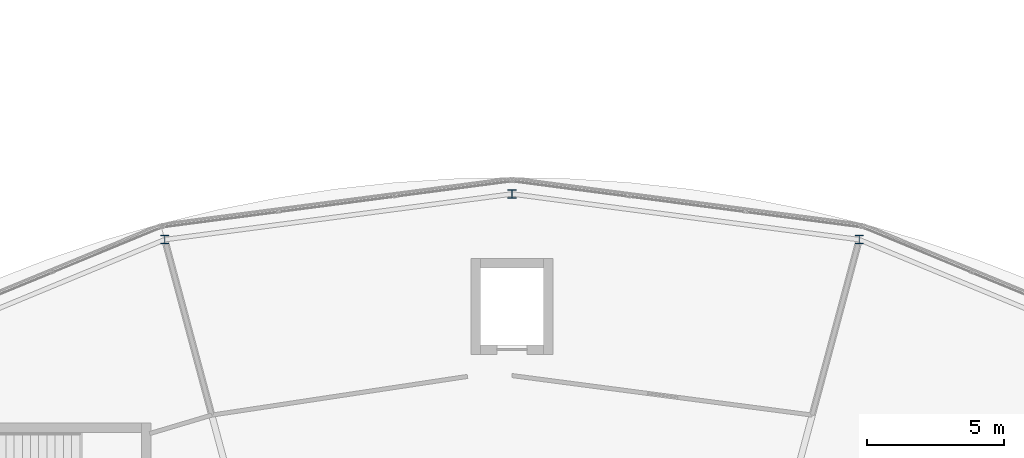
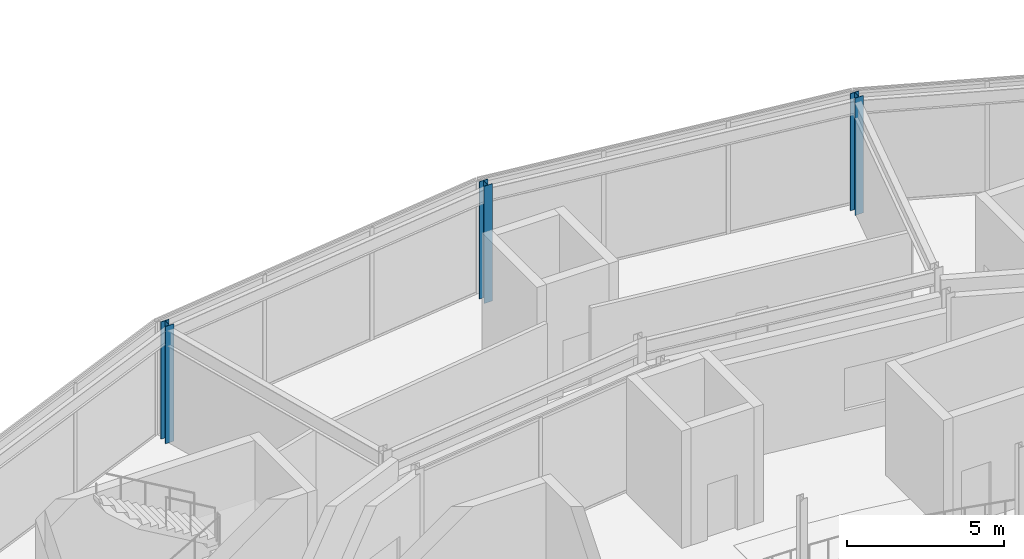
# One storey, part 12 of 116: 3 columns.
"""IFC4 building model written with IfcOpenShell, lengths in metres."""

from ifc_helpers import new_model, si_unit, direction, frame, origin, origin_2d, place, context, subcontext, project, spatial, i_section, extrude, material, material_profile, profile_set, type_object, element, save


model = new_model("IFC4")

# Units and contexts
model_context = context("Model", 3, precision=1e-05, world=origin(), true_north=direction((0.0, 1.0)))
body_context = subcontext(model_context, "Body", "Model", "MODEL_VIEW")
ifc_project = project(units=[si_unit("LENGTHUNIT", "METRE"), si_unit("AREAUNIT", "SQUARE_METRE"), si_unit("VOLUMEUNIT", "CUBIC_METRE"), si_unit("PLANEANGLEUNIT", "RADIAN"), si_unit("MASSUNIT", "GRAM", prefix="KILO")], contexts=[model_context])

# Site, building, storey
site_placement = place(None, origin())
site = spatial("IfcSite", under=ifc_project, at=site_placement, CompositionType="ELEMENT")
building_placement = place(site_placement, origin())
building = spatial("IfcBuilding", under=site, at=building_placement, Name="Almandine Court Research Institute", CompositionType="ELEMENT")
storey_placement = place(building_placement, frame((0.0, 0.0, 14.35009765625)))
storey = spatial("IfcBuildingStorey", under=building, at=storey_placement, Name="L03", CompositionType="ELEMENT", Elevation=14.35009765625)

# Columns
ifc_material = material(Name="Steel ASTM A992 Grade 50", Category="steel")
ifc_material_profile = material_profile(ifc_material, i_section(OverallWidth=0.305908203125, OverallDepth=0.31103515625, WebThickness=0.010986328125, FlangeThickness=0.01708984375, at=origin_2d()), Name="W310x107")
ifc_profile_set = profile_set([ifc_material_profile], Name="Steel ASTM A992 Grade 50")
column_type = type_object("IfcColumnType", Name="Col-C-W08-E", PredefinedType="COLUMN", material=ifc_profile_set)
for number, where, z_axis, x_axis, name in (
    (1, (99.656005859375, 103.23388671875, 0.0), (0.0, 0.0, 1.0), (1.0, 0.0, 0.0), "L03 V5 Column V5-OUT-S05"),
    (2, (87.0, 104.89990234375, 0.0), (0.0, 0.0, 1.0), (1.0, 0.0, 0.0), "L03 V5 Column V5-OUT-S06"),
    (3, (74.343994140625, 103.23388671875, 0.0), (0.0, 0.0, 1.0), (1.0, 0.0, 0.0), "L03 V5 Column V5-OUT-S07"),
):
    element("IfcColumn", number, at=place(storey_placement, frame(where, z_axis=z_axis, x_axis=x_axis)), inside=storey, type_object=column_type, Name=name, PredefinedType="COLUMN", context=body_context, shape_type="SweptSolid", body=[
        extrude(i_section(OverallWidth=0.305908203125, OverallDepth=0.31103515625, WebThickness=0.010986328125, FlangeThickness=0.01708984375, at=origin_2d()), origin(), (0.0, 0.0, 1.0), 4.5498046875),
    ])

save(model, "model.ifc")
